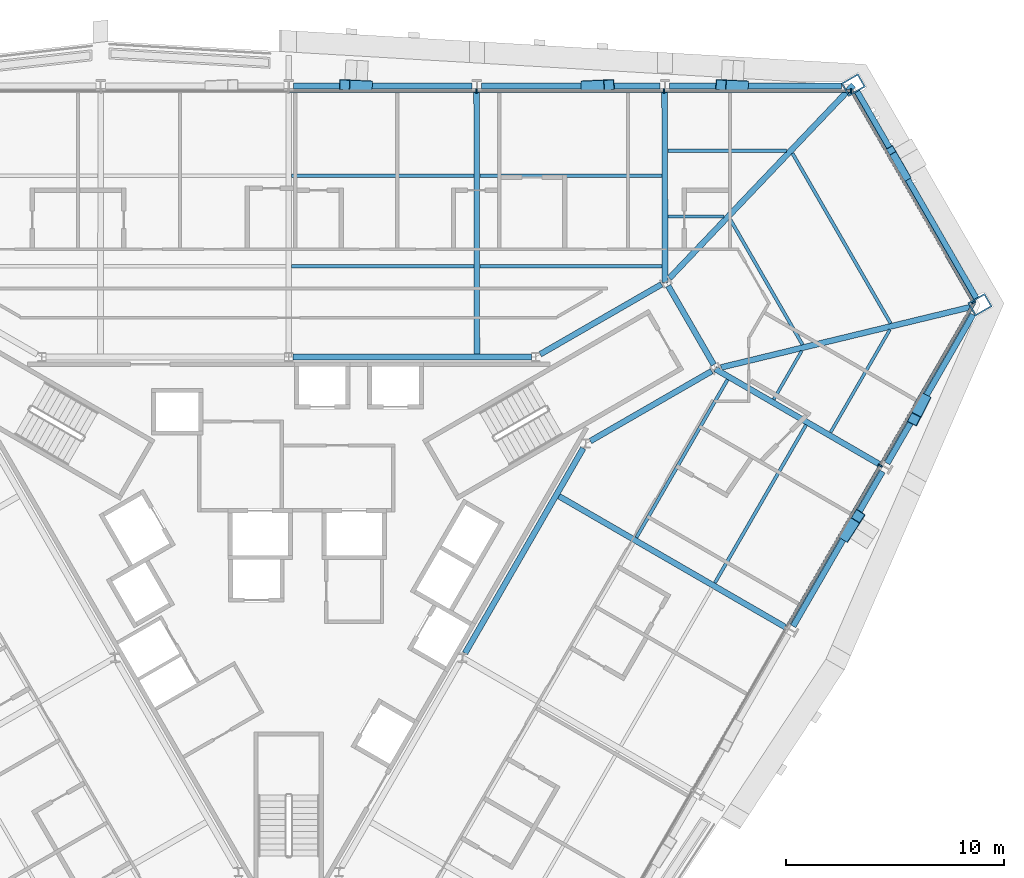
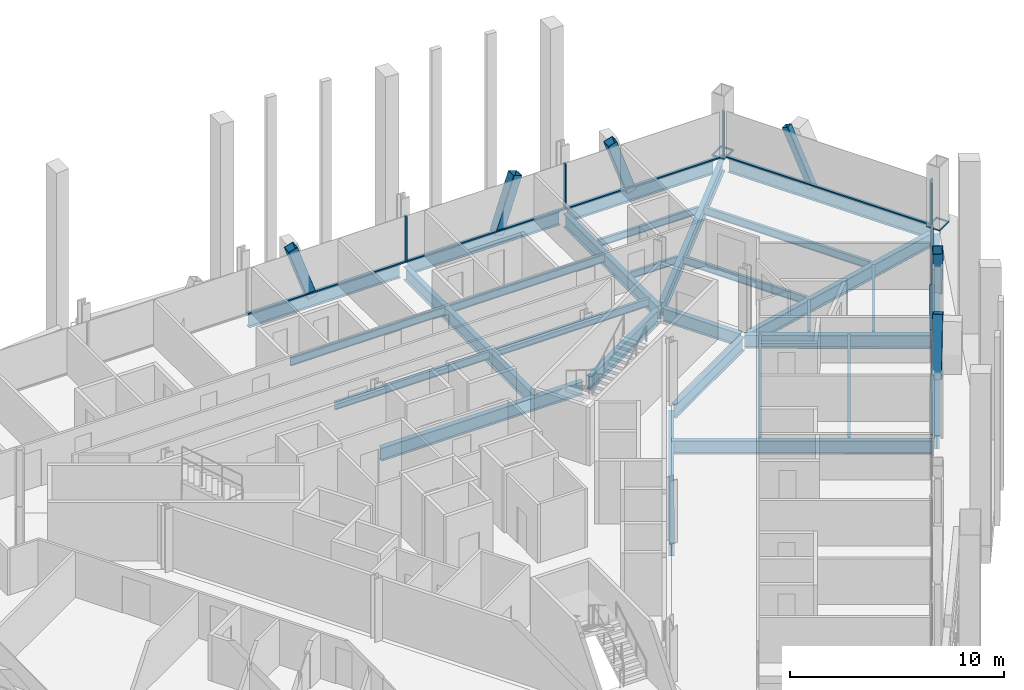
# One storey, part 9 of 19: 29 beams, 19 members, 3 elements without a shape of their own.
"""IFC4 building model written with IfcOpenShell, lengths in metres."""

from ifc_helpers import new_model, si_unit, direction, frame, origin, origin_2d, place, context, subcontext, project, spatial, rectangle, hollow_rectangle, i_section, extrude, material, material_profile, profile_set, type_object, element, aggregate, save


model = new_model("IFC4")

# Units and contexts
model_context = context("Model", 3, precision=1e-05, world=origin(), true_north=direction((0.0, 1.0)))
body_context = subcontext(model_context, "Body", "Model", "MODEL_VIEW")
ifc_project = project(units=[si_unit("LENGTHUNIT", "METRE"), si_unit("AREAUNIT", "SQUARE_METRE"), si_unit("VOLUMEUNIT", "CUBIC_METRE"), si_unit("PLANEANGLEUNIT", "RADIAN"), si_unit("MASSUNIT", "GRAM", prefix="KILO")], contexts=[model_context])

# Site, building, storey
site_placement = place(None, origin())
site = spatial("IfcSite", under=ifc_project, at=site_placement, CompositionType="ELEMENT")
building_placement = place(site_placement, origin())
building = spatial("IfcBuilding", under=site, at=building_placement, Name="Verrane Prism Tower", CompositionType="ELEMENT")
storey_placement = place(building_placement, frame((0.0, 0.0, 76.39990234375)))
storey = spatial("IfcBuildingStorey", under=building, at=storey_placement, Name="L17", CompositionType="ELEMENT", Elevation=76.39990234375)

# Member
ifc_material_1 = material(Name="Steel A500 Grade C", Category="steel")
ifc_material_profile_1 = material_profile(ifc_material_1, hollow_rectangle(XDim=0.355712890625, YDim=0.355712890625, WallThickness=0.0126953125, InnerFilletRadius=0.00634765625, OuterFilletRadius=0.01904296875, at=origin_2d()), Name="HSS14x14x1/2")
ifc_profile_set_1 = profile_set([ifc_material_profile_1], Name="Steel A500 Grade C")
member_type_1 = type_object("IfcMemberType", Name="Chamfer brace HSS14x14x1/2", PredefinedType="BRACE", material=ifc_profile_set_1)
member_1_placement = place(storey_placement, frame((28.3212890625, 17.469482421875, -0.2451171875), z_axis=(-0.209320899333, 0.363137808433, 0.907918329581), x_axis=(-0.866373148104, -0.499397204883, 0.0)))
element("IfcMember", 1, at=member_1_placement, inside=storey, type_object=member_type_1, Name="Chamfer brace NE0 L17", PredefinedType="BRACE", context=body_context, shape_type="SweptSolid", body=[
    extrude(hollow_rectangle(XDim=0.355712890625, YDim=0.355712890625, WallThickness=0.0126953125, InnerFilletRadius=0.00634765625, OuterFilletRadius=0.01904296875, at=origin_2d()), origin(), (0.0, 0.0, 1.0), 3.307861328125),
])

# Beams
ifc_material_2 = material(Name="Steel A992", Category="steel")
ifc_material_profile_2 = material_profile(ifc_material_2, i_section(OverallWidth=0.2666015625, OverallDepth=0.76708984375, WebThickness=0.014892578125, FlangeThickness=0.023681640625, FilletRadius=0.0166015625, at=origin_2d()), Name="W30x124")
ifc_profile_set_2 = profile_set([ifc_material_profile_2], Name="Steel A992")
beam_type_1 = type_object("IfcBeamType", Name="Chamfer spandrel beam W30x124", PredefinedType="SPANDREL", material=ifc_profile_set_2)
beam_1_placement = place(storey_placement, frame((31.53515625, 11.893310546875, -0.54345703125), z_axis=(-0.499381576475, 0.866382156486, 0.0), x_axis=(-0.866382156486, -0.499381576475, 0.0)))
element("IfcBeam", 2, at=beam_1_placement, inside=storey, type_object=beam_type_1, Name="Chamfer spandrel beam L17", PredefinedType="SPANDREL", context=body_context, shape_type="SweptSolid", body=[
    extrude(i_section(OverallWidth=0.2666015625, OverallDepth=0.76708984375, WebThickness=0.014892578125, FlangeThickness=0.023681640625, FilletRadius=0.0166015625, at=origin_2d()), origin(), (0.0, 0.0, 1.0), 10.934326171875),
])
ifc_material_3 = material(Name="Steel A992", Category="steel")
ifc_material_profile_3 = material_profile(ifc_material_3, i_section(OverallWidth=0.2666015625, OverallDepth=0.7568359375, WebThickness=0.013916015625, FlangeThickness=0.019287109375, FilletRadius=0.0166015625, at=origin_2d()), Name="W30x108")
ifc_profile_set_3 = profile_set([ifc_material_profile_3], Name="Steel A992")
beam_type_2 = type_object("IfcBeamType", Name="Core ring girder W30x108", PredefinedType="BEAM", material=ifc_profile_set_3)
beam_2_placement = place(storey_placement, frame((13.833251953125, 5.337158203125, -0.62841796875), z_axis=(0.86646365882, 0.499240150574, 0.0), x_axis=(-0.499240150574, 0.86646365882, 0.0)))
element("IfcBeam", 3, at=beam_2_placement, inside=storey, type_object=beam_type_2, Name="Core ring girder L17", PredefinedType="BEAM", context=body_context, shape_type="SweptSolid", body=[
    extrude(i_section(OverallWidth=0.2666015625, OverallDepth=0.7568359375, WebThickness=0.013916015625, FlangeThickness=0.019287109375, FilletRadius=0.0166015625, at=origin_2d()), origin(), (0.0, 0.0, 1.0), 6.42822265625),
])
beam_3_placement = place(storey_placement, frame((19.4951171875, 8.84130859375, -0.62841796875), z_axis=(-0.500349643494, 0.865823442888, 0.0), x_axis=(-0.865823442888, -0.500349643494, 0.0)))
element("IfcBeam", 4, at=beam_3_placement, inside=storey, type_object=beam_type_2, Name="Core ring girder L17", PredefinedType="BEAM", context=body_context, shape_type="SweptSolid", body=[
    extrude(i_section(OverallWidth=0.2666015625, OverallDepth=0.7568359375, WebThickness=0.013916015625, FlangeThickness=0.019287109375, FilletRadius=0.0166015625, at=origin_2d()), origin(), (0.0, 0.0, 1.0), 4.177734375),
])
beam_4_placement = place(storey_placement, frame((17.10302734375, 12.526611328125, -0.62841796875), z_axis=(-0.866447229751, -0.499268663203, 0.0), x_axis=(0.499268663203, -0.866447229751, 0.0)))
element("IfcBeam", 5, at=beam_4_placement, inside=storey, type_object=beam_type_2, Name="Core ring girder L17", PredefinedType="BEAM", context=body_context, shape_type="SweptSolid", body=[
    extrude(i_section(OverallWidth=0.2666015625, OverallDepth=0.7568359375, WebThickness=0.013916015625, FlangeThickness=0.019287109375, FilletRadius=0.0166015625, at=origin_2d()), origin(), (0.0, 0.0, 1.0), 6.428466796875),
])
beam_5_placement = place(storey_placement, frame((11.126708984375, 9.199951171875, -0.62841796875), z_axis=(-1.0, 0.0, 0.0), x_axis=(0.0, -1.0, 0.0)))
element("IfcBeam", 6, at=beam_5_placement, inside=storey, type_object=beam_type_2, Name="Core ring girder L17", PredefinedType="BEAM", context=body_context, shape_type="SweptSolid", body=[
    extrude(i_section(OverallWidth=0.2666015625, OverallDepth=0.7568359375, WebThickness=0.013916015625, FlangeThickness=0.019287109375, FilletRadius=0.0166015625, at=origin_2d()), origin(), (0.0, 0.0, 1.0), 10.923583984375),
])
beam_6_placement = place(storey_placement, frame((8.090087890625, -4.3916015625, -0.62841796875), z_axis=(0.499371892062, 0.866387738498, 0.0), x_axis=(-0.866387738498, 0.499371892062, 0.0)))
element("IfcBeam", 7, at=beam_6_placement, inside=storey, type_object=beam_type_2, Name="Core ring girder L17", PredefinedType="BEAM", context=body_context, shape_type="SweptSolid", body=[
    extrude(i_section(OverallWidth=0.2666015625, OverallDepth=0.7568359375, WebThickness=0.013916015625, FlangeThickness=0.019287109375, FilletRadius=0.0166015625, at=origin_2d()), origin(), (0.0, 0.0, 1.0), 10.853515625),
])
ifc_material_4 = material(Name="Steel A992", Category="steel")
ifc_material_profile_4 = material_profile(ifc_material_4, i_section(OverallWidth=0.2666015625, OverallDepth=0.76708984375, WebThickness=0.014892578125, FlangeThickness=0.023681640625, FilletRadius=0.0166015625, at=origin_2d()), Name="W30x124")
ifc_profile_set_4 = profile_set([ifc_material_profile_4], Name="Steel A992")
beam_type_3 = type_object("IfcBeamType", Name="Corner girder W30x124", PredefinedType="BEAM", material=ifc_profile_set_4)
beam_7_placement = place(storey_placement, frame((31.254150390625, 11.479736328125, -0.603515625), z_axis=(-0.9719570894, -0.235158279388, 0.0), x_axis=(0.235158279388, -0.9719570894, 0.0)))
element("IfcBeam", 8, at=beam_7_placement, inside=storey, type_object=beam_type_3, Name="Corner girder L17", PredefinedType="BEAM", context=body_context, shape_type="SweptSolid", body=[
    extrude(i_section(OverallWidth=0.2666015625, OverallDepth=0.76708984375, WebThickness=0.014892578125, FlangeThickness=0.023681640625, FilletRadius=0.0166015625, at=origin_2d()), origin(), (0.0, 0.0, 1.0), 11.75341796875),
])
beam_8_placement = place(storey_placement, frame((25.897216796875, 21.6669921875, -0.603515625), z_axis=(-0.689657664947, -0.724135557185, 0.0), x_axis=(0.724135557185, -0.689657664947, 0.0)))
element("IfcBeam", 9, at=beam_8_placement, inside=storey, type_object=beam_type_3, Name="Corner girder L17", PredefinedType="BEAM", context=body_context, shape_type="SweptSolid", body=[
    extrude(i_section(OverallWidth=0.2666015625, OverallDepth=0.76708984375, WebThickness=0.014892578125, FlangeThickness=0.023681640625, FilletRadius=0.0166015625, at=origin_2d()), origin(), (0.0, 0.0, 1.0), 12.22900390625),
])

# Members
ifc_material_5 = material(Name="Steel A1085 Grade A", Category="steel")
ifc_material_profile_5 = material_profile(ifc_material_5, hollow_rectangle(XDim=0.508056640625, YDim=0.508056640625, WallThickness=0.025390625, InnerFilletRadius=0.0126953125, OuterFilletRadius=0.0380859375, at=origin_2d()), Name="HSS20x20x1")
ifc_profile_set_5 = profile_set([ifc_material_profile_5], Name="Steel A1085 Grade A")
member_type_2 = type_object("IfcMemberType", Name="Facade brace HSS20x20x1", PredefinedType="BRACE", material=ifc_profile_set_5)
member_2_placement = place(storey_placement, frame((20.839599609375, 21.619140625, -0.242431640625), z_axis=(-0.318678397401, 0.015999301632, 0.94772786251), x_axis=(-0.050142012169, -0.998742098149, 0.0)))
element("IfcMember", 10, at=member_2_placement, inside=storey, type_object=member_type_2, Name="Facade brace N0 L17", PredefinedType="BRACE", context=body_context, shape_type="SweptSolid", body=[
    extrude(hollow_rectangle(XDim=0.508056640625, YDim=0.508056640625, WallThickness=0.025390625, InnerFilletRadius=0.0126953125, OuterFilletRadius=0.0380859375, at=origin_2d()), origin(), (0.0, 0.0, 1.0), 3.174072265625),
])
member_3_placement = place(storey_placement, frame((13.64892578125, 21.619140625, -0.242431640625), z_axis=(0.327482390423, 0.015948568768, 0.944722672067), x_axis=(-0.048642888476, 0.998816234049, 0.0)))
element("IfcMember", 11, at=member_3_placement, inside=storey, type_object=member_type_2, Name="Facade brace N1 L17", PredefinedType="BRACE", context=body_context, shape_type="SweptSolid", body=[
    extrude(hollow_rectangle(XDim=0.508056640625, YDim=0.508056640625, WallThickness=0.025390625, InnerFilletRadius=0.0126953125, OuterFilletRadius=0.0380859375, at=origin_2d()), origin(), (0.0, 0.0, 1.0), 3.18408203125),
])
member_4_placement = place(storey_placement, frame((3.59326171875, 21.619140625, -0.242431640625), z_axis=(-0.322953306018, 0.015974860321, 0.946280067406), x_axis=(-0.049404518678, -0.998778851165, 0.0)))
element("IfcMember", 12, at=member_4_placement, inside=storey, type_object=member_type_2, Name="Facade brace N2 L17", PredefinedType="BRACE", context=body_context, shape_type="SweptSolid", body=[
    extrude(hollow_rectangle(XDim=0.508056640625, YDim=0.508056640625, WallThickness=0.025390625, InnerFilletRadius=0.0126953125, OuterFilletRadius=0.0380859375, at=origin_2d()), origin(), (0.0, 0.0, 1.0), 3.1787109375),
])
member_5_placement = place(storey_placement, frame((25.5478515625, 1.015380859375, -0.242431640625), z_axis=(0.177865244931, 0.275844461751, 0.944602449482), x_axis=(-0.840433922457, 0.541914035603, 0.0)))
element("IfcMember", 13, at=member_5_placement, inside=storey, type_object=member_type_2, Name="Facade brace SE4 L17", PredefinedType="BRACE", context=body_context, shape_type="SweptSolid", body=[
    extrude(hollow_rectangle(XDim=0.508056640625, YDim=0.508056640625, WallThickness=0.025390625, InnerFilletRadius=0.0126953125, OuterFilletRadius=0.0380859375, at=origin_2d()), origin(), (0.0, 0.0, 1.0), 3.1845703125),
])
member_6_placement = place(storey_placement, frame((29.141845703125, 7.240234375, -0.242431640625), z_axis=(-0.145173430426, -0.283576716772, 0.947897104544), x_axis=(0.890136551388, -0.455693888353, 0.0)))
element("IfcMember", 14, at=member_6_placement, inside=storey, type_object=member_type_2, Name="Facade brace SE5 L17", PredefinedType="BRACE", context=body_context, shape_type="SweptSolid", body=[
    extrude(hollow_rectangle(XDim=0.508056640625, YDim=0.508056640625, WallThickness=0.025390625, InnerFilletRadius=0.0126953125, OuterFilletRadius=0.0380859375, at=origin_2d()), origin(), (0.0, 0.0, 1.0), 3.17333984375),
])

# Beams
ifc_material_6 = material(Name="Steel A992", Category="steel")
ifc_material_profile_6 = material_profile(ifc_material_6, i_section(OverallWidth=0.140380859375, OverallDepth=0.40380859375, WebThickness=0.007080078125, FlangeThickness=0.01123046875, FilletRadius=0.01025390625, at=origin_2d()), Name="W16x31")
ifc_profile_set_6 = profile_set([ifc_material_profile_6], Name="Steel A992")
beam_type_4 = type_object("IfcBeamType", Name="Floor beam W16x31", PredefinedType="BEAM", material=ifc_profile_set_6)
beam_9_placement = place(storey_placement, frame((17.3935546875, 15.63671875, -0.36181640625), z_axis=(1.0, 0.0, 0.0), x_axis=(0.0, 1.0, 0.0)))
element("IfcBeam", 15, at=beam_9_placement, inside=storey, type_object=beam_type_4, Name="Floor beam L17", PredefinedType="BEAM", context=body_context, shape_type="SweptSolid", body=[
    extrude(i_section(OverallWidth=0.140380859375, OverallDepth=0.40380859375, WebThickness=0.007080078125, FlangeThickness=0.01123046875, FilletRadius=0.01025390625, at=origin_2d()), origin(), (0.0, 0.0, 1.0), 2.575927734375),
])
beam_10_placement = place(storey_placement, frame((17.3935546875, 18.6533203125, -0.36181640625), z_axis=(1.0, 0.0, 0.0), x_axis=(0.0, 1.0, 0.0)))
element("IfcBeam", 16, at=beam_10_placement, inside=storey, type_object=beam_type_4, Name="Floor beam L17", PredefinedType="BEAM", context=body_context, shape_type="SweptSolid", body=[
    extrude(i_section(OverallWidth=0.140380859375, OverallDepth=0.40380859375, WebThickness=0.007080078125, FlangeThickness=0.01123046875, FilletRadius=0.01025390625, at=origin_2d()), origin(), (0.0, 0.0, 1.0), 5.448974609375),
])
beam_11_placement = place(storey_placement, frame((24.856689453125, 5.7421875, -0.36181640625), z_axis=(0.500006102154, 0.866021880676, 0.0), x_axis=(-0.866021880676, 0.500006102154, 0.0)))
element("IfcBeam", 17, at=beam_11_placement, inside=storey, type_object=beam_type_4, Name="Floor beam L17", PredefinedType="BEAM", context=body_context, shape_type="SweptSolid", body=[
    extrude(i_section(OverallWidth=0.140380859375, OverallDepth=0.40380859375, WebThickness=0.007080078125, FlangeThickness=0.01123046875, FilletRadius=0.01025390625, at=origin_2d()), origin(), (0.0, 0.0, 1.0), 5.43896484375),
])
beam_12_placement = place(storey_placement, frame((22.246826171875, 7.248779296875, -0.36181640625), z_axis=(0.499930841935, 0.86606532853, 0.0), x_axis=(-0.86606532853, 0.499930841935, 0.0)))
element("IfcBeam", 18, at=beam_12_placement, inside=storey, type_object=beam_type_4, Name="Floor beam L17", PredefinedType="BEAM", context=body_context, shape_type="SweptSolid", body=[
    extrude(i_section(OverallWidth=0.140380859375, OverallDepth=0.40380859375, WebThickness=0.007080078125, FlangeThickness=0.01123046875, FilletRadius=0.01025390625, at=origin_2d()), origin(), (0.0, 0.0, 1.0), 2.569091796875),
])
ifc_material_7 = material(Name="Steel A992", Category="steel")
ifc_material_profile_7 = material_profile(ifc_material_7, i_section(OverallWidth=0.15234375, OverallDepth=0.449462890625, WebThickness=0.007568359375, FlangeThickness=0.0107421875, FilletRadius=0.01025390625, at=origin_2d()), Name="W18x35")
ifc_profile_set_7 = profile_set([ifc_material_profile_7], Name="Steel A992")
beam_type_5 = type_object("IfcBeamType", Name="Floor beam W18x35", PredefinedType="BEAM", material=ifc_profile_set_7)
for number, where, z_axis, x_axis, name in (
    (19, (8.763427734375, 13.356689453125, -0.384765625), (1.0, 0.0, 0.0), (0.0, 1.0, 0.0), "Floor beam L17"),
    (20, (8.763427734375, 17.51318359375, -0.384765625), (1.0, 0.0, 0.0), (0.0, 1.0, 0.0), "Floor beam L17"),
    (21, (0.133544921875, 13.356689453125, -0.384765625), (1.0, 0.0, 0.0), (0.0, 1.0, 0.0), "Floor beam L17"),
    (22, (0.133544921875, 17.51318359375, -0.384765625), (1.0, 0.0, 0.0), (0.0, 1.0, 0.0), "Floor beam L17"),
):
    element("IfcBeam", number, at=place(storey_placement, frame(where, z_axis=z_axis, x_axis=x_axis)), inside=storey, type_object=beam_type_5, Name=name, PredefinedType="BEAM", context=body_context, shape_type="SweptSolid", body=[
        extrude(i_section(OverallWidth=0.15234375, OverallDepth=0.449462890625, WebThickness=0.007568359375, FlangeThickness=0.0107421875, FilletRadius=0.01025390625, at=origin_2d()), origin(), (0.0, 0.0, 1.0), 8.363037109375),
    ])
beam_13_placement = place(storey_placement, frame((19.547119140625, -1.164794921875, -0.384765625), z_axis=(0.499979169146, 0.86603743015, 0.0), x_axis=(-0.86603743015, 0.499979169146, 0.0)))
element("IfcBeam", 23, at=beam_13_placement, inside=storey, type_object=beam_type_5, Name="Floor beam L17", PredefinedType="BEAM", context=body_context, shape_type="SweptSolid", body=[
    extrude(i_section(OverallWidth=0.15234375, OverallDepth=0.449462890625, WebThickness=0.007568359375, FlangeThickness=0.0107421875, FilletRadius=0.01025390625, at=origin_2d()), origin(), (0.0, 0.0, 1.0), 8.369384765625),
])
beam_14_placement = place(storey_placement, frame((15.946533203125, 0.915771484375, -0.384765625), z_axis=(0.500001954328, 0.866024275449, 0.0), x_axis=(-0.866024275449, 0.500001954328, 0.0)))
element("IfcBeam", 24, at=beam_14_placement, inside=storey, type_object=beam_type_5, Name="Floor beam L17", PredefinedType="BEAM", context=body_context, shape_type="SweptSolid", body=[
    extrude(i_section(OverallWidth=0.15234375, OverallDepth=0.449462890625, WebThickness=0.007568359375, FlangeThickness=0.0107421875, FilletRadius=0.01025390625, at=origin_2d()), origin(), (0.0, 0.0, 1.0), 8.36767578125),
])
beam_15_placement = place(storey_placement, frame((27.60888671875, 10.735107421875, -0.384765625), z_axis=(-0.500017147334, 0.86601550354, 0.0), x_axis=(-0.86601550354, -0.500017147334, 0.0)))
element("IfcBeam", 25, at=beam_15_placement, inside=storey, type_object=beam_type_5, Name="Floor beam L17", PredefinedType="BEAM", context=body_context, shape_type="SweptSolid", body=[
    extrude(i_section(OverallWidth=0.15234375, OverallDepth=0.449462890625, WebThickness=0.007568359375, FlangeThickness=0.0107421875, FilletRadius=0.01025390625, at=origin_2d()), origin(), (0.0, 0.0, 1.0), 9.011962890625),
])
beam_16_placement = place(storey_placement, frame((23.568603515625, 9.757568359375, -0.384765625), z_axis=(-0.500007828009, 0.866020884234, 0.0), x_axis=(-0.866020884234, -0.500007828009, 0.0)))
element("IfcBeam", 26, at=beam_16_placement, inside=storey, type_object=beam_type_5, Name="Floor beam L17", PredefinedType="BEAM", context=body_context, shape_type="SweptSolid", body=[
    extrude(i_section(OverallWidth=0.15234375, OverallDepth=0.449462890625, WebThickness=0.007568359375, FlangeThickness=0.0107421875, FilletRadius=0.01025390625, at=origin_2d()), origin(), (0.0, 0.0, 1.0), 6.6650390625),
])

# Members
ifc_material_8 = material(Name="Steel A572 Grade 50", Category="steel")
ifc_material_profile_8 = material_profile(ifc_material_8, hollow_rectangle(XDim=0.699951171875, YDim=0.89990234375, WallThickness=0.06494140625, at=origin_2d()), Name="BOX 900x700x65")
ifc_profile_set_8 = profile_set([ifc_material_profile_8], Name="Steel A572 Grade 50")
member_type_3 = type_object("IfcMemberType", Name="Kink node BOX 900x700x65", PredefinedType="COLLAR", material=ifc_profile_set_8)
for number, where, z_axis, x_axis, name in (
    (27, (31.7080078125, 11.590087890625, -0.039794921875), (0.0, 0.0, 1.0), (0.5, -0.866025403784, 0.0), "Kink node MC3 L17"),
    (28, (25.89892578125, 21.66845703125, -0.039794921875), (0.0, 0.0, 1.0), (0.5, -0.866025403784, 0.0), "Kink node MC3 L17"),
):
    element("IfcMember", number, at=place(storey_placement, frame(where, z_axis=z_axis, x_axis=x_axis)), inside=storey, type_object=member_type_3, Name=name, PredefinedType="COLLAR", context=body_context, shape_type="SweptSolid", body=[
        extrude(hollow_rectangle(XDim=0.699951171875, YDim=0.89990234375, WallThickness=0.06494140625, at=origin_2d()), origin(), (0.0, 0.0, 1.0), 0.079833984375),
    ])

# Curtain wall, member
ifc_material_9 = material(Name="Aluminium framed insulated glazing", Category="aluminium")
curtain_wall_type = type_object("IfcCurtainWallType", Name="Curtain wall CW-A 8400 module", PredefinedType="NOTDEFINED", material=ifc_material_9)
curtain_wall_1_placement = place(storey_placement, origin())
curtain_wall_1 = element("IfcCurtainWall", 29, at=curtain_wall_1_placement, inside=storey, type_object=curtain_wall_type, Name="Glazed curtain wall north-east corner L17", PredefinedType="NOTDEFINED")
ifc_material_10 = material(Name="Aluminium alloy 6063-T6", Category="aluminium")
ifc_material_profile_9 = material_profile(ifc_material_10, rectangle(XDim=0.199951171875, YDim=0.070068359375, at=origin_2d()), Name="Mullion 70x200 aluminium")
ifc_profile_set_9 = profile_set([ifc_material_profile_9], Name="Aluminium alloy 6063-T6")
member_type_4 = type_object("IfcMemberType", Name="Mullion 70x200 aluminium", PredefinedType="MULLION", material=ifc_profile_set_9)
member_7_placement = place(storey_placement, frame((31.418701171875, 11.69775390625, 0.0), z_axis=(0.0, 0.0, 1.0), x_axis=(-0.866026293788, -0.499998458466, 0.0)))
member_7 = element("IfcMember", 30, at=member_7_placement, type_object=member_type_4, Name="CW17.1 mullion 1", PredefinedType="MULLION", context=body_context, shape_type="SweptSolid", body=[
    extrude(rectangle(XDim=0.199951171875, YDim=0.070068359375, at=origin_2d()), origin(), (0.0, 0.0, 1.0), 2.613037109375),
])

# Curtain wall, members
curtain_wall_2_placement = place(storey_placement, origin())
curtain_wall_2 = element("IfcCurtainWall", 31, at=curtain_wall_2_placement, inside=storey, type_object=curtain_wall_type, Name="Glazed curtain wall north face L17", PredefinedType="NOTDEFINED")
member_8_placement = place(storey_placement, frame((25.787353515625, 21.39111328125, 0.0), z_axis=(0.0, 0.0, 1.0), x_axis=(0.0, -1.0, 0.0)))
member_8 = element("IfcMember", 32, at=member_8_placement, type_object=member_type_4, Name="CW17.2 mullion 1", PredefinedType="MULLION", context=body_context, shape_type="SweptSolid", body=[
    extrude(rectangle(XDim=0.199951171875, YDim=0.070068359375, at=origin_2d()), origin(), (0.0, 0.0, 1.0), 2.613037109375),
])
member_9_placement = place(storey_placement, frame((17.21484375, 21.39111328125, 0.0), z_axis=(0.0, 0.0, 1.0), x_axis=(0.0, -1.0, 0.0)))
member_9 = element("IfcMember", 33, at=member_9_placement, type_object=member_type_4, Name="CW17.2 mullion 2", PredefinedType="MULLION", context=body_context, shape_type="SweptSolid", body=[
    extrude(rectangle(XDim=0.199951171875, YDim=0.070068359375, at=origin_2d()), origin(), (0.0, 0.0, 1.0), 2.613037109375),
])
member_10_placement = place(storey_placement, frame((8.607421875, 21.39111328125, 0.0), z_axis=(0.0, 0.0, 1.0), x_axis=(0.0, -1.0, 0.0)))
member_10 = element("IfcMember", 34, at=member_10_placement, type_object=member_type_4, Name="CW17.2 mullion 3", PredefinedType="MULLION", context=body_context, shape_type="SweptSolid", body=[
    extrude(rectangle(XDim=0.199951171875, YDim=0.070068359375, at=origin_2d()), origin(), (0.0, 0.0, 1.0), 2.613037109375),
])

# Curtain wall, member
curtain_wall_3_placement = place(storey_placement, origin())
curtain_wall_3 = element("IfcCurtainWall", 35, at=curtain_wall_3_placement, inside=storey, type_object=curtain_wall_type, Name="Glazed curtain wall south-east face L17", PredefinedType="NOTDEFINED")
member_11_placement = place(storey_placement, frame((27.132568359375, 4.213134765625, 0.0), z_axis=(0.0, 0.0, 1.0), x_axis=(-0.866025845387, 0.499999235121, 0.0)))
member_11 = element("IfcMember", 36, at=member_11_placement, type_object=member_type_4, Name="CW17.6 mullion 6", PredefinedType="MULLION", context=body_context, shape_type="SweptSolid", body=[
    extrude(rectangle(XDim=0.199951171875, YDim=0.070068359375, at=origin_2d()), origin(), (0.0, 0.0, 1.0), 2.613037109375),
])

# Beams
ifc_material_11 = material(Name="Steel A992", Category="steel")
ifc_material_profile_10 = material_profile(ifc_material_11, i_section(OverallWidth=0.2666015625, OverallDepth=0.76708984375, WebThickness=0.014892578125, FlangeThickness=0.023681640625, FilletRadius=0.0166015625, at=origin_2d()), Name="W30x124")
ifc_profile_set_10 = profile_set([ifc_material_profile_10], Name="Steel A992")
beam_type_6 = type_object("IfcBeamType", Name="Radial girder W30x124", PredefinedType="BEAM", material=ifc_profile_set_10)
beam_17_placement = place(storey_placement, frame((17.241943359375, 21.3701171875, -0.603515625), z_axis=(0.002063979092, -0.999997869993, 0.0), x_axis=(0.999997869993, 0.002063979092, 0.0)))
element("IfcBeam", 37, at=beam_17_placement, inside=storey, type_object=beam_type_6, Name="Radial girder L17", PredefinedType="BEAM", context=body_context, shape_type="SweptSolid", body=[
    extrude(i_section(OverallWidth=0.2666015625, OverallDepth=0.76708984375, WebThickness=0.014892578125, FlangeThickness=0.023681640625, FilletRadius=0.0166015625, at=origin_2d()), origin(), (0.0, 0.0, 1.0), 8.753173828125),
])
beam_18_placement = place(storey_placement, frame((8.6201171875, 21.3701171875, -0.603515625), z_axis=(0.00080242306, -0.999999678059, 0.0), x_axis=(0.999999678059, 0.00080242306, 0.0)))
element("IfcBeam", 38, at=beam_18_placement, inside=storey, type_object=beam_type_6, Name="Radial girder L17", PredefinedType="BEAM", context=body_context, shape_type="SweptSolid", body=[
    extrude(i_section(OverallWidth=0.2666015625, OverallDepth=0.76708984375, WebThickness=0.014892578125, FlangeThickness=0.023681640625, FilletRadius=0.0166015625, at=origin_2d()), origin(), (0.0, 0.0, 1.0), 12.170166015625),
])
beam_19_placement = place(storey_placement, frame((22.8154296875, -3.218505859375, -0.603515625), z_axis=(-0.865623048871, 0.500696252496, 0.0), x_axis=(-0.500696252496, -0.865623048871, 0.0)))
element("IfcBeam", 39, at=beam_19_placement, inside=storey, type_object=beam_type_6, Name="Radial girder L17", PredefinedType="BEAM", context=body_context, shape_type="SweptSolid", body=[
    extrude(i_section(OverallWidth=0.2666015625, OverallDepth=0.76708984375, WebThickness=0.014892578125, FlangeThickness=0.023681640625, FilletRadius=0.0166015625, at=origin_2d()), origin(), (0.0, 0.0, 1.0), 12.172119140625),
])
beam_20_placement = place(storey_placement, frame((27.130615234375, 4.25341796875, -0.603515625), z_axis=(-0.864935194716, 0.501883561139, 0.0), x_axis=(-0.501883561139, -0.864935194716, 0.0)))
element("IfcBeam", 40, at=beam_20_placement, inside=storey, type_object=beam_type_6, Name="Radial girder L17", PredefinedType="BEAM", context=body_context, shape_type="SweptSolid", body=[
    extrude(i_section(OverallWidth=0.2666015625, OverallDepth=0.76708984375, WebThickness=0.014892578125, FlangeThickness=0.023681640625, FilletRadius=0.0166015625, at=origin_2d()), origin(), (0.0, 0.0, 1.0), 8.743408203125),
])
ifc_material_12 = material(Name="Steel A992", Category="steel")
ifc_material_profile_11 = material_profile(ifc_material_12, i_section(OverallWidth=0.2666015625, OverallDepth=0.7568359375, WebThickness=0.013916015625, FlangeThickness=0.019287109375, FilletRadius=0.0166015625, at=origin_2d()), Name="W30x108")
ifc_profile_set_11 = profile_set([ifc_material_profile_11], Name="Steel A992")
beam_type_7 = type_object("IfcBeamType", Name="Spandrel beam W30x108", PredefinedType="SPANDREL", material=ifc_profile_set_11)
beam_21_placement = place(storey_placement, frame((25.349853515625, 21.619140625, -0.538330078125), z_axis=(-1.0, 0.0, 0.0), x_axis=(0.0, -1.0, 0.0)))
element("IfcBeam", 41, at=beam_21_placement, inside=storey, type_object=beam_type_7, Name="Spandrel beam L17", PredefinedType="SPANDREL", context=body_context, shape_type="SweptSolid", body=[
    extrude(i_section(OverallWidth=0.2666015625, OverallDepth=0.7568359375, WebThickness=0.013916015625, FlangeThickness=0.019287109375, FilletRadius=0.0166015625, at=origin_2d()), origin(), (0.0, 0.0, 1.0), 7.892578125),
])
beam_22_placement = place(storey_placement, frame((17.025390625, 21.619140625, -0.538330078125), z_axis=(-1.0, 0.0, 0.0), x_axis=(0.0, -1.0, 0.0)))
element("IfcBeam", 42, at=beam_22_placement, inside=storey, type_object=beam_type_7, Name="Spandrel beam L17", PredefinedType="SPANDREL", context=body_context, shape_type="SweptSolid", body=[
    extrude(i_section(OverallWidth=0.2666015625, OverallDepth=0.7568359375, WebThickness=0.013916015625, FlangeThickness=0.019287109375, FilletRadius=0.0166015625, at=origin_2d()), origin(), (0.0, 0.0, 1.0), 8.189697265625),
])
beam_23_placement = place(storey_placement, frame((8.40380859375, 21.619140625, -0.538330078125), z_axis=(-1.0, 0.0, 0.0), x_axis=(0.0, -1.0, 0.0)))
element("IfcBeam", 43, at=beam_23_placement, inside=storey, type_object=beam_type_7, Name="Spandrel beam L17", PredefinedType="SPANDREL", context=body_context, shape_type="SweptSolid", body=[
    extrude(i_section(OverallWidth=0.2666015625, OverallDepth=0.7568359375, WebThickness=0.013916015625, FlangeThickness=0.019287109375, FilletRadius=0.0166015625, at=origin_2d()), origin(), (0.0, 0.0, 1.0), 8.18798828125),
])
beam_24_placement = place(storey_placement, frame((23.138916015625, -3.156005859375, -0.538330078125), z_axis=(0.500108356668, 0.865962834994, 0.0), x_axis=(-0.865962834994, 0.500108356668, 0.0)))
element("IfcBeam", 44, at=beam_24_placement, inside=storey, type_object=beam_type_7, Name="Spandrel beam L17", PredefinedType="SPANDREL", context=body_context, shape_type="SweptSolid", body=[
    extrude(i_section(OverallWidth=0.2666015625, OverallDepth=0.7568359375, WebThickness=0.013916015625, FlangeThickness=0.019287109375, FilletRadius=0.0166015625, at=origin_2d()), origin(), (0.0, 0.0, 1.0), 8.196044921875),
])
beam_25_placement = place(storey_placement, frame((27.45361328125, 4.3154296875, -0.538330078125), z_axis=(0.499891427362, 0.866088079153, 0.0), x_axis=(-0.866088079153, 0.499891427362, 0.0)))
element("IfcBeam", 45, at=beam_25_placement, inside=storey, type_object=beam_type_7, Name="Spandrel beam L17", PredefinedType="SPANDREL", context=body_context, shape_type="SweptSolid", body=[
    extrude(i_section(OverallWidth=0.2666015625, OverallDepth=0.7568359375, WebThickness=0.013916015625, FlangeThickness=0.019287109375, FilletRadius=0.0166015625, at=origin_2d()), origin(), (0.0, 0.0, 1.0), 7.879638671875),
])

# Member
ifc_material_13 = material(Name="Aluminium alloy 6063-T6", Category="aluminium")
ifc_material_profile_12 = material_profile(ifc_material_13, rectangle(XDim=0.14990234375, YDim=0.070068359375, at=origin_2d()), Name="Transom 70x150 aluminium")
ifc_profile_set_12 = profile_set([ifc_material_profile_12], Name="Aluminium alloy 6063-T6")
member_type_5 = type_object("IfcMemberType", Name="Transom 70x150 aluminium", PredefinedType="USERDEFINED", material=ifc_profile_set_12)
member_12_placement = place(storey_placement, frame((31.4013671875, 11.72802734375, 0.03515625), z_axis=(-0.499991406607, 0.866030365126, 0.0), x_axis=(-0.866030365126, -0.499991406607, 0.0)))
member_12 = element("IfcMember", 46, at=member_12_placement, type_object=member_type_5, Name="CW17.1 transom 1", ObjectType="TRANSOM", PredefinedType="USERDEFINED", context=body_context, shape_type="SweptSolid", body=[
    extrude(rectangle(XDim=0.14990234375, YDim=0.070068359375, at=origin_2d()), origin(), (0.0, 0.0, 1.0), 11.157958984375),
])

aggregate(curtain_wall_1, [member_7, member_12])

member_13_placement = place(storey_placement, frame((25.75244140625, 21.39111328125, 0.03515625), z_axis=(-1.0, 0.0, 0.0), x_axis=(0.0, -1.0, 0.0)))
member_13 = element("IfcMember", 47, at=member_13_placement, type_object=member_type_5, Name="CW17.2 transom 1", ObjectType="TRANSOM", PredefinedType="USERDEFINED", context=body_context, shape_type="SweptSolid", body=[
    extrude(rectangle(XDim=0.14990234375, YDim=0.070068359375, at=origin_2d()), origin(), (0.0, 0.0, 1.0), 8.50244140625),
])

member_14_placement = place(storey_placement, frame((17.179931640625, 21.39111328125, 0.03515625), z_axis=(-1.0, 0.0, 0.0), x_axis=(0.0, -1.0, 0.0)))
member_14 = element("IfcMember", 48, at=member_14_placement, type_object=member_type_5, Name="CW17.2 transom 2", ObjectType="TRANSOM", PredefinedType="USERDEFINED", context=body_context, shape_type="SweptSolid", body=[
    extrude(rectangle(XDim=0.14990234375, YDim=0.070068359375, at=origin_2d()), origin(), (0.0, 0.0, 1.0), 8.537353515625),
])

member_15_placement = place(storey_placement, frame((8.572509765625, 21.39111328125, 0.03515625), z_axis=(-1.0, 0.0, 0.0), x_axis=(0.0, -1.0, 0.0)))
member_15 = element("IfcMember", 49, at=member_15_placement, type_object=member_type_5, Name="CW17.2 transom 3", ObjectType="TRANSOM", PredefinedType="USERDEFINED", context=body_context, shape_type="SweptSolid", body=[
    extrude(rectangle(XDim=0.14990234375, YDim=0.070068359375, at=origin_2d()), origin(), (0.0, 0.0, 1.0), 8.53759765625),
])

aggregate(curtain_wall_2, [member_8, member_9, member_10, member_13, member_14, member_15])

member_16_placement = place(storey_placement, frame((22.846435546875, -3.2109375, 0.03515625), z_axis=(0.499977418008, 0.866038441111, 0.0), x_axis=(-0.866038441111, 0.499977418008, 0.0)))
member_16 = element("IfcMember", 50, at=member_16_placement, type_object=member_type_5, Name="CW17.6 transom 5", ObjectType="TRANSOM", PredefinedType="USERDEFINED", context=body_context, shape_type="SweptSolid", body=[
    extrude(rectangle(XDim=0.14990234375, YDim=0.070068359375, at=origin_2d()), origin(), (0.0, 0.0, 1.0), 8.53759765625),
])

member_17_placement = place(storey_placement, frame((27.150146484375, 4.243408203125, 0.03515625), z_axis=(0.499986237162, 0.866033349617, 0.0), x_axis=(-0.866033349617, 0.499986237162, 0.0)))
member_17 = element("IfcMember", 51, at=member_17_placement, type_object=member_type_5, Name="CW17.6 transom 6", ObjectType="TRANSOM", PredefinedType="USERDEFINED", context=body_context, shape_type="SweptSolid", body=[
    extrude(rectangle(XDim=0.14990234375, YDim=0.070068359375, at=origin_2d()), origin(), (0.0, 0.0, 1.0), 8.572509765625),
])

aggregate(curtain_wall_3, [member_11, member_16, member_17])

save(model, "model.ifc")
